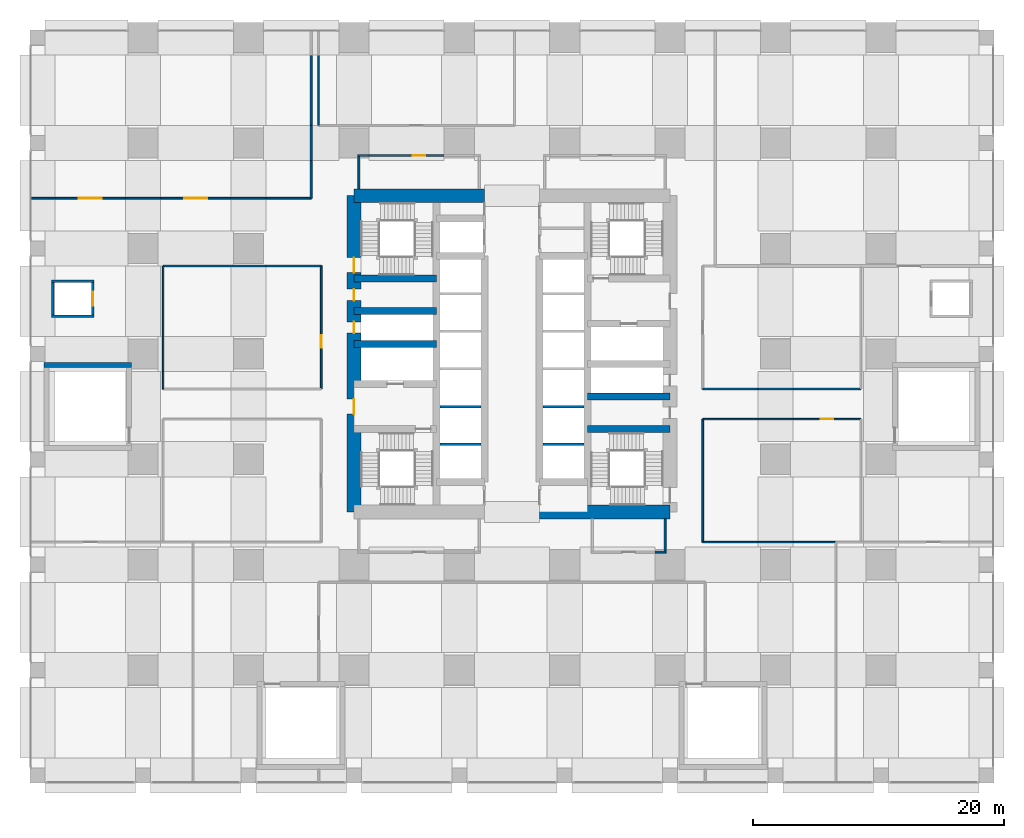
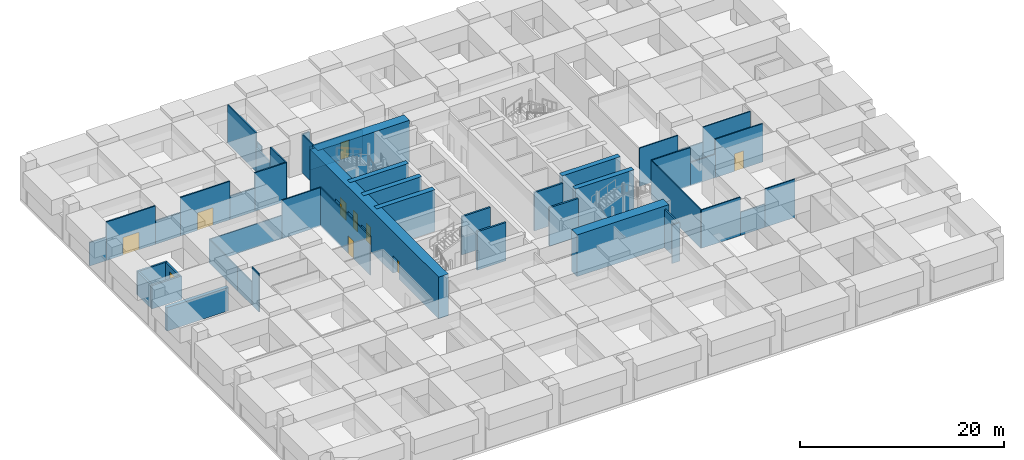
# One storey, part 40 of 52: 48 walls, 10 doors, 10 openings.
"""IFC4 building model written with IfcOpenShell, lengths in metres."""

from ifc_helpers import new_model, si_unit, direction, frame, frame_2d, origin, place, context, subcontext, project, spatial, rectangle, extrude, material, layer, layer_set, type_object, element, fill, save


model = new_model("IFC4")

# Units and contexts
model_context = context("Model", 3, precision=1e-05, world=origin(), true_north=direction((0.0, 1.0)))
body_context = subcontext(model_context, "Body", "Model", "MODEL_VIEW")
ifc_project = project(units=[si_unit("LENGTHUNIT", "METRE"), si_unit("AREAUNIT", "SQUARE_METRE"), si_unit("VOLUMEUNIT", "CUBIC_METRE"), si_unit("PLANEANGLEUNIT", "RADIAN"), si_unit("MASSUNIT", "GRAM", prefix="KILO")], contexts=[model_context])

# Site, building, storey
site_placement = place(None, origin())
site = spatial("IfcSite", under=ifc_project, at=site_placement, CompositionType="ELEMENT")
building_placement = place(site_placement, origin())
building = spatial("IfcBuilding", under=site, at=building_placement, Name="Rekha Terrace Tower", CompositionType="ELEMENT")
storey_placement = place(building_placement, frame((0.0, 0.0, 20.39990234375)))
storey = spatial("IfcBuildingStorey", under=building, at=storey_placement, Name="L04", CompositionType="ELEMENT", Elevation=20.39990234375)

# Walls
ifc_material_1 = material(Name="Concrete M70", Category="concrete")
ifc_layer_1 = layer(ifc_material_1, 0.550048828125)
ifc_layer_set_1 = layer_set([ifc_layer_1], Name="Concrete M70")
wall_type_1 = type_object("IfcWallType", Name="CI1 550 core internal shear wall", PredefinedType="SHEAR", material=ifc_layer_set_1)
for number, where, z_axis, x_axis, name in (
    (1, (25.199951171875, 34.39990234375, 0.0), (0.0, 0.0, 1.0), (1.0, 0.0, 0.0), "Core wall Y344W L04"),
    (2, (25.199951171875, 37.0, 0.0), (0.0, 0.0, 1.0), (1.0, 0.0, 0.0), "Core wall Y370W L04"),
    (3, (25.199951171875, 39.60009765625, 0.0), (0.0, 0.0, 1.0), (1.0, 0.0, 0.0), "Core wall Y396W L04"),
):
    element("IfcWall", number, at=place(storey_placement, frame(where, z_axis=z_axis, x_axis=x_axis)), inside=storey, type_object=wall_type_1, Name=name, PredefinedType="SHEAR", context=body_context, shape_type="SweptSolid", body=[
        extrude(rectangle(XDim=6.60009765625, YDim=0.550048828125, at=frame_2d((3.300048828125, 0.0))), origin(), (0.0, 0.0, 1.0), 5.0),
    ])
for number, where, z_axis, x_axis, name in (
    (4, (43.800048828125, 27.60009765625, 0.0), (0.0, 0.0, 1.0), (1.0, 0.0, 0.0), "Core wall Y276E L04"),
    (5, (43.800048828125, 30.199951171875, 0.0), (0.0, 0.0, 1.0), (1.0, 0.0, 0.0), "Core wall Y302E L04"),
):
    element("IfcWall", number, at=place(storey_placement, frame(where, z_axis=z_axis, x_axis=x_axis)), inside=storey, type_object=wall_type_1, Name=name, PredefinedType="SHEAR", context=body_context, shape_type="SweptSolid", body=[
        extrude(rectangle(XDim=6.599853515625, YDim=0.550048828125, at=frame_2d((3.2998046875, 0.0))), origin(), (0.0, 0.0, 1.0), 5.0),
    ])
ifc_layer_2 = layer(ifc_material_1, 1.10009765625)
ifc_layer_set_2 = layer_set([ifc_layer_2], Name="Concrete M70")
wall_type_2 = type_object("IfcWallType", Name="SW1 1100 core outer shear wall", PredefinedType="SHEAR", material=ifc_layer_set_2)
wall_1_placement = place(storey_placement, frame((40.0, 21.0, 0.0), z_axis=(0.0, 0.0, 1.0), x_axis=(1.0, 0.0, 0.0)))
element("IfcWall", 6, at=wall_1_placement, inside=storey, type_object=wall_type_2, Name="Core wall S2 L04", PredefinedType="SHEAR", context=body_context, shape_type="SweptSolid", body=[
    extrude(rectangle(XDim=10.39990234375, YDim=1.10009765625, at=frame_2d((5.199951171875, 0.0))), origin(), (0.0, 0.0, 1.0), 5.0),
])
wall_2_placement = place(storey_placement, frame((25.199951171875, 46.199951171875, 0.0), z_axis=(0.0, 0.0, 1.0), x_axis=(1.0, 0.0, 0.0)))
element("IfcWall", 7, at=wall_2_placement, inside=storey, type_object=wall_type_2, Name="Core wall N1 L04", PredefinedType="SHEAR", context=body_context, shape_type="SweptSolid", body=[
    extrude(rectangle(XDim=10.400146484375, YDim=1.10009765625, at=frame_2d((5.2001953125, 0.0))), origin(), (0.0, 0.0, 1.0), 5.0),
])

# Wall, openings, doors
wall_3_placement = place(storey_placement, frame((25.199951171875, 21.0, 0.0), z_axis=(0.0, 0.0, 1.0), x_axis=(0.0, 1.0, 0.0)))
wall_3 = element("IfcWall", 8, at=wall_3_placement, inside=storey, type_object=wall_type_2, Name="Core wall W L04", PredefinedType="SHEAR", context=body_context, shape_type="SweptSolid", body=[
    extrude(rectangle(XDim=25.199951171875, YDim=1.10009765625, at=frame_2d((12.60009765625, 0.0))), origin(), (0.0, 0.0, 1.0), 5.0),
])
opening_1_placement = place(wall_3_placement, frame((7.800048828125, 0.0, 0.0)))
opening_1 = element("IfcOpeningElement", 9, at=opening_1_placement, cuts=wall_3, Name="Opening D2", PredefinedType="OPENING", context=body_context, shape_type="SweptSolid", body=[
    extrude(rectangle(XDim=1.199951171875, YDim=2.10009765625, at=frame_2d((0.60009765625, 1.050048828125))), frame((0.0, 0.56005859375, 0.0), z_axis=(0.0, -1.0, 0.0), x_axis=(1.0, 0.0, 0.0)), (0.0, 0.0, 1.0), 1.1201171875),
])
opening_2_placement = place(wall_3_placement, frame((14.25, 0.0, 0.0)))
opening_2 = element("IfcOpeningElement", 10, at=opening_2_placement, cuts=wall_3, Name="Opening D5", PredefinedType="OPENING", context=body_context, shape_type="SweptSolid", body=[
    extrude(rectangle(XDim=0.89990234375, YDim=2.10009765625, at=frame_2d((0.449951171875, 1.050048828125))), frame((0.0, 0.56005859375, 0.0), z_axis=(0.0, -1.0, 0.0), x_axis=(1.0, 0.0, 0.0)), (0.0, 0.0, 1.0), 1.1201171875),
])
opening_3_placement = place(wall_3_placement, frame((16.85009765625, 0.0, 0.0)))
opening_3 = element("IfcOpeningElement", 11, at=opening_3_placement, cuts=wall_3, Name="Opening D5", PredefinedType="OPENING", context=body_context, shape_type="SweptSolid", body=[
    extrude(rectangle(XDim=0.89990234375, YDim=2.10009765625, at=frame_2d((0.449951171875, 1.050048828125))), frame((0.0, 0.56005859375, 0.0), z_axis=(0.0, -1.0, 0.0), x_axis=(1.0, 0.0, 0.0)), (0.0, 0.0, 1.0), 1.1201171875),
])
opening_4_placement = place(wall_3_placement, frame((19.074951171875, 0.0, 0.0)))
opening_4 = element("IfcOpeningElement", 12, at=opening_4_placement, cuts=wall_3, Name="Opening D1", PredefinedType="OPENING", context=body_context, shape_type="SweptSolid", body=[
    extrude(rectangle(XDim=1.199951171875, YDim=2.10009765625, at=frame_2d((0.60009765625, 1.050048828125))), frame((0.0, 0.56005859375, 0.0), z_axis=(0.0, -1.0, 0.0), x_axis=(1.0, 0.0, 0.0)), (0.0, 0.0, 1.0), 1.1201171875),
])
ifc_material_2 = material(Name="Steel fire door", Category="steel")
door_type_1 = type_object("IfcDoorType", Name="D1 1200x2100 stair fire door", OperationType="SINGLE_SWING_RIGHT", PredefinedType="DOOR", material=ifc_material_2)
door_1_placement = place(opening_4_placement, origin())
door_1 = element("IfcDoor", 13, at=door_1_placement, inside=storey, type_object=door_type_1, Name="Stair ST4 door L04", OperationType="SINGLE_SWING_RIGHT", OverallHeight=2.10009765625, OverallWidth=1.199951171875, PredefinedType="DOOR", context=body_context, shape_type="SweptSolid", body=[
    extrude(rectangle(XDim=1.199951171875, YDim=2.10009765625, at=frame_2d((0.60009765625, 1.050048828125))), frame((0.0, 0.02490234375, 0.0), z_axis=(0.0, -1.0, 0.0), x_axis=(1.0, 0.0, 0.0)), (0.0, 0.0, 1.0), 0.050048828125),
])
fill(opening_4, door_1)
door_type_2 = type_object("IfcDoorType", Name="D2 1200x2100 firefighting lobby door", OperationType="SINGLE_SWING_LEFT", PredefinedType="DOOR", material=ifc_material_2)
door_2_placement = place(opening_1_placement, origin())
door_2 = element("IfcDoor", 14, at=door_2_placement, inside=storey, type_object=door_type_2, Name="Door flb1 L04", OperationType="SINGLE_SWING_LEFT", OverallHeight=2.10009765625, OverallWidth=1.199951171875, PredefinedType="DOOR", context=body_context, shape_type="SweptSolid", body=[
    extrude(rectangle(XDim=1.199951171875, YDim=2.10009765625, at=frame_2d((0.60009765625, 1.050048828125))), frame((0.0, 0.02490234375, 0.0), z_axis=(0.0, -1.0, 0.0), x_axis=(1.0, 0.0, 0.0)), (0.0, 0.0, 1.0), 0.050048828125),
])
fill(opening_1, door_2)
door_type_3 = type_object("IfcDoorType", Name="D5 900x2100 riser access door", OperationType="SINGLE_SWING_LEFT", PredefinedType="DOOR", material=ifc_material_2)
door_3_placement = place(opening_2_placement, origin())
door_3 = element("IfcDoor", 15, at=door_3_placement, inside=storey, type_object=door_type_3, Name="Door rs1 L04", OperationType="SINGLE_SWING_LEFT", OverallHeight=2.10009765625, OverallWidth=0.89990234375, PredefinedType="DOOR", context=body_context, shape_type="SweptSolid", body=[
    extrude(rectangle(XDim=0.89990234375, YDim=2.10009765625, at=frame_2d((0.449951171875, 1.050048828125))), frame((0.0, 0.02490234375, 0.0), z_axis=(0.0, -1.0, 0.0), x_axis=(1.0, 0.0, 0.0)), (0.0, 0.0, 1.0), 0.050048828125),
])
fill(opening_2, door_3)
door_4_placement = place(opening_3_placement, origin())
door_4 = element("IfcDoor", 16, at=door_4_placement, inside=storey, type_object=door_type_3, Name="Door elw L04", OperationType="SINGLE_SWING_LEFT", OverallHeight=2.10009765625, OverallWidth=0.89990234375, PredefinedType="DOOR", context=body_context, shape_type="SweptSolid", body=[
    extrude(rectangle(XDim=0.89990234375, YDim=2.10009765625, at=frame_2d((0.449951171875, 1.050048828125))), frame((0.0, 0.02490234375, 0.0), z_axis=(0.0, -1.0, 0.0), x_axis=(1.0, 0.0, 0.0)), (0.0, 0.0, 1.0), 0.050048828125),
])
fill(opening_3, door_4)

# Wall
ifc_material_3 = material(Name="Concrete block masonry, 1 hour", Category="masonry")
ifc_layer_3 = layer(ifc_material_3, 0.14990234375)
ifc_layer_set_3 = layer_set([ifc_layer_3], Name="Concrete block masonry, 1 hour")
wall_type_3 = type_object("IfcWallType", Name="WP2 150 tenancy partition", PredefinedType="PARTITIONING", material=ifc_layer_set_3)
wall_4_placement = place(storey_placement, frame((25.52490234375, 49.39990234375, 0.0), z_axis=(0.0, 0.0, 1.0), x_axis=(1.0, 0.0, 0.0)))
element("IfcWall", 17, at=wall_4_placement, inside=storey, type_object=wall_type_3, Name="Women's WC wall L04", PredefinedType="PARTITIONING", context=body_context, shape_type="SweptSolid", body=[
    extrude(rectangle(XDim=0.875, YDim=0.14990234375, at=frame_2d((0.4375, 0.0))), origin(), (0.0, 0.0, 1.0), 4.60009765625),
])

# Wall, opening, door
wall_5_placement = place(storey_placement, frame((26.39990234375, 49.39990234375, 0.0), z_axis=(0.0, 0.0, 1.0), x_axis=(1.0, 0.0, 0.0)))
wall_5 = element("IfcWall", 18, at=wall_5_placement, inside=storey, type_object=wall_type_3, Name="Women's WC wall L04", PredefinedType="PARTITIONING", context=body_context, shape_type="SweptSolid", body=[
    extrude(rectangle(XDim=6.0, YDim=0.14990234375, at=frame_2d((3.0, 0.0))), origin(), (0.0, 0.0, 1.0), 2.800048828125),
])
opening_5_placement = place(wall_5_placement, frame((3.5, 0.0, 0.0)))
opening_5 = element("IfcOpeningElement", 19, at=opening_5_placement, cuts=wall_5, Name="Opening D3", PredefinedType="OPENING", context=body_context, shape_type="SweptSolid", body=[
    extrude(rectangle(XDim=1.0, YDim=2.10009765625, at=frame_2d((0.5, 1.050048828125))), frame((0.0, 0.0849609375, 0.0), z_axis=(0.0, -1.0, 0.0), x_axis=(1.0, 0.0, 0.0)), (0.0, 0.0, 1.0), 0.169921875),
])
ifc_material_4 = material(Name="Laminated timber fire door", Category="wood")
door_type_4 = type_object("IfcDoorType", Name="D3 1000x2100 WC door", OperationType="SINGLE_SWING_LEFT", PredefinedType="DOOR", material=ifc_material_4)
door_5_placement = place(opening_5_placement, origin())
door_5 = element("IfcDoor", 20, at=door_5_placement, inside=storey, type_object=door_type_4, Name="Door women's wc L04", OperationType="SINGLE_SWING_LEFT", OverallHeight=2.10009765625, OverallWidth=1.0, PredefinedType="DOOR", context=body_context, shape_type="SweptSolid", body=[
    extrude(rectangle(XDim=1.0, YDim=2.10009765625, at=frame_2d((0.5, 1.050048828125))), frame((0.0, 0.02490234375, 0.0), z_axis=(0.0, -1.0, 0.0), x_axis=(1.0, 0.0, 0.0)), (0.0, 0.0, 1.0), 0.050048828125),
])
fill(opening_5, door_5)

# Walls
wall_6_placement = place(storey_placement, frame((25.60009765625, 46.75, 0.0), z_axis=(0.0, 0.0, 1.0), x_axis=(0.0, 1.0, 0.0)))
element("IfcWall", 21, at=wall_6_placement, inside=storey, type_object=wall_type_3, Name="Women's WC wall L04", PredefinedType="PARTITIONING", context=body_context, shape_type="SweptSolid", body=[
    extrude(rectangle(XDim=2.574951171875, YDim=0.14990234375, at=frame_2d((1.28759765625, 0.0))), origin(), (0.0, 0.0, 1.0), 4.60009765625),
])
wall_7_placement = place(storey_placement, frame((49.199951171875, 17.800048828125, 0.0), z_axis=(0.0, 0.0, 1.0), x_axis=(1.0, 0.0, 0.0)))
element("IfcWall", 22, at=wall_7_placement, inside=storey, type_object=wall_type_3, Name="Men's WC wall L04", PredefinedType="PARTITIONING", context=body_context, shape_type="SweptSolid", body=[
    extrude(rectangle(XDim=0.875, YDim=0.14990234375, at=frame_2d((0.4375, 0.0))), origin(), (0.0, 0.0, 1.0), 4.60009765625),
])
wall_8_placement = place(storey_placement, frame((50.0, 17.875, 0.0), z_axis=(0.0, 0.0, 1.0), x_axis=(0.0, 1.0, 0.0)))
element("IfcWall", 23, at=wall_8_placement, inside=storey, type_object=wall_type_3, Name="Men's WC wall L04", PredefinedType="PARTITIONING", context=body_context, shape_type="SweptSolid", body=[
    extrude(rectangle(XDim=2.574951171875, YDim=0.14990234375, at=frame_2d((1.28759765625, 0.0))), origin(), (0.0, 0.0, 1.0), 4.60009765625),
])
wall_9_placement = place(storey_placement, frame((21.800048828125, 57.389892578125, 0.0), z_axis=(0.0, 0.0, 1.0), x_axis=(0.0, -1.0, 0.0)))
element("IfcWall", 24, at=wall_9_placement, inside=storey, type_object=wall_type_3, Name="Partition L04-03", PredefinedType="PARTITIONING", context=body_context, shape_type="SweptSolid", body=[
    extrude(rectangle(XDim=5.579833984375, YDim=0.14990234375, at=frame_2d((2.7900390625, 0.0))), origin(), (0.0, 0.0, 1.0), 4.60009765625),
])
wall_10_placement = place(storey_placement, frame((21.800048828125, 51.81005859375, 0.0), z_axis=(0.0, 0.0, 1.0), x_axis=(0.0, -1.0, 0.0)))
element("IfcWall", 25, at=wall_10_placement, inside=storey, type_object=wall_type_3, Name="Partition L04-03", PredefinedType="PARTITIONING", context=body_context, shape_type="SweptSolid", body=[
    extrude(rectangle(XDim=2.820068359375, YDim=0.14990234375, at=frame_2d((1.41015625, 0.0))), origin(), (0.0, 0.0, 1.0), 2.800048828125),
])
wall_11_placement = place(storey_placement, frame((21.800048828125, 48.989990234375, 0.0), z_axis=(0.0, 0.0, 1.0), x_axis=(0.0, -1.0, 0.0)))
element("IfcWall", 26, at=wall_11_placement, inside=storey, type_object=wall_type_3, Name="Partition L04-03", PredefinedType="PARTITIONING", context=body_context, shape_type="SweptSolid", body=[
    extrude(rectangle(XDim=2.989990234375, YDim=0.14990234375, at=frame_2d((1.4951171875, 0.0))), origin(), (0.0, 0.0, 1.0), 4.60009765625),
])
wall_12_placement = place(storey_placement, frame((21.800048828125, 46.0, 0.0), z_axis=(0.0, 0.0, 1.0), x_axis=(-1.0, 0.0, 0.0)))
element("IfcWall", 27, at=wall_12_placement, inside=storey, type_object=wall_type_3, Name="Partition L04-03", PredefinedType="PARTITIONING", context=body_context, shape_type="SweptSolid", body=[
    extrude(rectangle(XDim=3.590087890625, YDim=0.14990234375, at=frame_2d((1.794921875, 0.0))), origin(), (0.0, 0.0, 1.0), 4.60009765625),
])
wall_13_placement = place(storey_placement, frame((18.2099609375, 46.0, 0.0), z_axis=(0.0, 0.0, 1.0), x_axis=(-1.0, 0.0, 0.0)))
element("IfcWall", 28, at=wall_13_placement, inside=storey, type_object=wall_type_3, Name="Partition L04-03", PredefinedType="PARTITIONING", context=body_context, shape_type="SweptSolid", body=[
    extrude(rectangle(XDim=2.820068359375, YDim=0.14990234375, at=frame_2d((1.41015625, 0.0))), origin(), (0.0, 0.0, 1.0), 2.800048828125),
])

# Wall, opening, door
wall_14_placement = place(storey_placement, frame((15.389892578125, 46.0, 0.0), z_axis=(0.0, 0.0, 1.0), x_axis=(-1.0, 0.0, 0.0)))
wall_14 = element("IfcWall", 29, at=wall_14_placement, inside=storey, type_object=wall_type_3, Name="Partition L04-03", PredefinedType="PARTITIONING", context=body_context, shape_type="SweptSolid", body=[
    extrude(rectangle(XDim=5.579833984375, YDim=0.14990234375, at=frame_2d((2.7900390625, 0.0))), origin(), (0.0, 0.0, 1.0), 4.60009765625),
])
opening_6_placement = place(wall_14_placement, frame((1.889892578125, 0.0, 0.0)))
opening_6 = element("IfcOpeningElement", 30, at=opening_6_placement, cuts=wall_14, Name="Opening D8", PredefinedType="OPENING", context=body_context, shape_type="SweptSolid", body=[
    extrude(rectangle(XDim=1.800048828125, YDim=2.10009765625, at=frame_2d((0.89990234375, 1.050048828125))), frame((0.0, 0.0849609375, 0.0), z_axis=(0.0, -1.0, 0.0), x_axis=(1.0, 0.0, 0.0)), (0.0, 0.0, 1.0), 0.169921875),
])
ifc_material_5 = material(Name="Timber fire door", Category="wood")
door_type_5 = type_object("IfcDoorType", Name="D8 1800x2100 double leaf door", OperationType="DOUBLE_DOOR_SINGLE_SWING", PredefinedType="DOOR", material=ifc_material_5)
door_6_placement = place(opening_6_placement, origin())
door_6 = element("IfcDoor", 31, at=door_6_placement, inside=storey, type_object=door_type_5, Name="Door conference room 2 L04", OperationType="DOUBLE_DOOR_SINGLE_SWING", OverallHeight=2.10009765625, OverallWidth=1.800048828125, PredefinedType="DOOR", context=body_context, shape_type="SweptSolid", body=[
    extrude(rectangle(XDim=1.800048828125, YDim=2.10009765625, at=frame_2d((0.89990234375, 1.050048828125))), frame((0.0, 0.02490234375, 0.0), z_axis=(0.0, -1.0, 0.0), x_axis=(1.0, 0.0, 0.0)), (0.0, 0.0, 1.0), 0.050048828125),
])
fill(opening_6, door_6)

# Wall
wall_15_placement = place(storey_placement, frame((9.81005859375, 46.0, 0.0), z_axis=(0.0, 0.0, 1.0), x_axis=(-1.0, 0.0, 0.0)))
element("IfcWall", 32, at=wall_15_placement, inside=storey, type_object=wall_type_3, Name="Partition L04-03", PredefinedType="PARTITIONING", context=body_context, shape_type="SweptSolid", body=[
    extrude(rectangle(XDim=2.820068359375, YDim=0.14990234375, at=frame_2d((1.41015625, 0.0))), origin(), (0.0, 0.0, 1.0), 2.800048828125),
])

# Wall, opening, door
wall_16_placement = place(storey_placement, frame((6.989990234375, 46.0, 0.0), z_axis=(0.0, 0.0, 1.0), x_axis=(-1.0, 0.0, 0.0)))
wall_16 = element("IfcWall", 33, at=wall_16_placement, inside=storey, type_object=wall_type_3, Name="Partition L04-03", PredefinedType="PARTITIONING", context=body_context, shape_type="SweptSolid", body=[
    extrude(rectangle(XDim=5.580078125, YDim=0.14990234375, at=frame_2d((2.7900390625, 0.0))), origin(), (0.0, 0.0, 1.0), 4.60009765625),
])
opening_7_placement = place(wall_16_placement, frame((1.889892578125, 0.0, 0.0)))
opening_7 = element("IfcOpeningElement", 34, at=opening_7_placement, cuts=wall_16, Name="Opening D8", PredefinedType="OPENING", context=body_context, shape_type="SweptSolid", body=[
    extrude(rectangle(XDim=1.800048828125, YDim=2.10009765625, at=frame_2d((0.89990234375, 1.050048828125))), frame((0.0, 0.0849609375, 0.0), z_axis=(0.0, -1.0, 0.0), x_axis=(1.0, 0.0, 0.0)), (0.0, 0.0, 1.0), 0.169921875),
])
door_7_placement = place(opening_7_placement, origin())
door_7 = element("IfcDoor", 35, at=door_7_placement, inside=storey, type_object=door_type_5, Name="Door conference room 2 L04", OperationType="DOUBLE_DOOR_SINGLE_SWING", OverallHeight=2.10009765625, OverallWidth=1.800048828125, PredefinedType="DOOR", context=body_context, shape_type="SweptSolid", body=[
    extrude(rectangle(XDim=1.800048828125, YDim=2.10009765625, at=frame_2d((0.89990234375, 1.050048828125))), frame((0.0, 0.02490234375, 0.0), z_axis=(0.0, -1.0, 0.0), x_axis=(1.0, 0.0, 0.0)), (0.0, 0.0, 1.0), 0.050048828125),
])
fill(opening_7, door_7)

# Walls
wall_17_placement = place(storey_placement, frame((1.409912109375, 46.0, 0.0), z_axis=(0.0, 0.0, 1.0), x_axis=(-1.0, 0.0, 0.0)))
element("IfcWall", 36, at=wall_17_placement, inside=storey, type_object=wall_type_3, Name="Partition L04-03", PredefinedType="PARTITIONING", context=body_context, shape_type="SweptSolid", body=[
    extrude(rectangle(XDim=1.89990234375, YDim=0.14990234375, at=frame_2d((0.949951171875, 0.0))), origin(), (0.0, 0.0, 1.0), 2.800048828125),
])
ifc_material_6 = material(Name="Two layers of fire-rated gypsum board each side on steel studs, acoustic quilt, 1 hour", Category="steel")
ifc_layer_4 = layer(ifc_material_6, 0.125)
ifc_layer_set_4 = layer_set([ifc_layer_4], Name="Two layers of fire-rated gypsum board each side on steel studs, acoustic quilt, 1 hour")
wall_type_4 = type_object("IfcWallType", Name="WP3 125 office partition", PredefinedType="PARTITIONING", material=ifc_layer_set_4)
wall_18_placement = place(storey_placement, frame((10.0, 40.60009765625, 0.0), z_axis=(0.0, 0.0, 1.0), x_axis=(1.0, 0.0, 0.0)))
element("IfcWall", 37, at=wall_18_placement, inside=storey, type_object=wall_type_4, Name="Partition L04-08", PredefinedType="PARTITIONING", context=body_context, shape_type="SweptSolid", body=[
    extrude(rectangle(XDim=8.2099609375, YDim=0.125, at=frame_2d((4.10498046875, 0.0))), origin(), (0.0, 0.0, 1.0), 2.800048828125),
])
wall_19_placement = place(storey_placement, frame((18.2099609375, 40.60009765625, 0.0), z_axis=(0.0, 0.0, 1.0), x_axis=(1.0, 0.0, 0.0)))
element("IfcWall", 38, at=wall_19_placement, inside=storey, type_object=wall_type_4, Name="Partition L04-08", PredefinedType="PARTITIONING", context=body_context, shape_type="SweptSolid", body=[
    extrude(rectangle(XDim=4.39013671875, YDim=0.125, at=frame_2d((2.195068359375, 0.0))), origin(), (0.0, 0.0, 1.0), 4.60009765625),
])

# Wall, opening, door
wall_20_placement = place(storey_placement, frame((22.60009765625, 40.60009765625, 0.0), z_axis=(0.0, 0.0, 1.0), x_axis=(0.0, -1.0, 0.0)))
wall_20 = element("IfcWall", 39, at=wall_20_placement, inside=storey, type_object=wall_type_4, Name="Partition L04-08", PredefinedType="PARTITIONING", context=body_context, shape_type="SweptSolid", body=[
    extrude(rectangle(XDim=9.800048828125, YDim=0.125, at=frame_2d((4.89990234375, 0.0))), origin(), (0.0, 0.0, 1.0), 4.60009765625),
])
opening_8_placement = place(wall_20_placement, frame((5.5, 0.0, 0.0)))
opening_8 = element("IfcOpeningElement", 40, at=opening_8_placement, cuts=wall_20, Name="Opening D9", PredefinedType="OPENING", context=body_context, shape_type="SweptSolid", body=[
    extrude(rectangle(XDim=1.0, YDim=2.10009765625, at=frame_2d((0.5, 1.050048828125))), frame((0.0, 0.072509765625, 0.0), z_axis=(0.0, -1.0, 0.0), x_axis=(1.0, 0.0, 0.0)), (0.0, 0.0, 1.0), 0.14501953125),
])
door_type_6 = type_object("IfcDoorType", Name="D9 1000x2100 office door", OperationType="SINGLE_SWING_LEFT", PredefinedType="DOOR", material=ifc_material_5)
door_8_placement = place(opening_8_placement, origin())
door_8 = element("IfcDoor", 41, at=door_8_placement, inside=storey, type_object=door_type_6, Name="Door business centre office L04", OperationType="SINGLE_SWING_LEFT", OverallHeight=2.10009765625, OverallWidth=1.0, PredefinedType="DOOR", context=body_context, shape_type="SweptSolid", body=[
    extrude(rectangle(XDim=1.0, YDim=2.10009765625, at=frame_2d((0.5, 1.050048828125))), frame((0.0, 0.02490234375, 0.0), z_axis=(0.0, -1.0, 0.0), x_axis=(1.0, 0.0, 0.0)), (0.0, 0.0, 1.0), 0.050048828125),
])
fill(opening_8, door_8)

# Walls
wall_21_placement = place(storey_placement, frame((10.0, 30.800048828125, 0.0), z_axis=(0.0, 0.0, 1.0), x_axis=(0.0, 1.0, 0.0)))
element("IfcWall", 42, at=wall_21_placement, inside=storey, type_object=wall_type_4, Name="Partition L04-08", PredefinedType="PARTITIONING", context=body_context, shape_type="SweptSolid", body=[
    extrude(rectangle(XDim=1.389892578125, YDim=0.125, at=frame_2d((0.69482421875, 0.0))), origin(), (0.0, 0.0, 1.0), 4.60009765625),
])
wall_22_placement = place(storey_placement, frame((10.0, 32.18994140625, 0.0), z_axis=(0.0, 0.0, 1.0), x_axis=(0.0, 1.0, 0.0)))
element("IfcWall", 43, at=wall_22_placement, inside=storey, type_object=wall_type_4, Name="Partition L04-08", PredefinedType="PARTITIONING", context=body_context, shape_type="SweptSolid", body=[
    extrude(rectangle(XDim=2.820068359375, YDim=0.125, at=frame_2d((1.41015625, 0.0))), origin(), (0.0, 0.0, 1.0), 2.800048828125),
])
wall_23_placement = place(storey_placement, frame((10.0, 35.010009765625, 0.0), z_axis=(0.0, 0.0, 1.0), x_axis=(0.0, 1.0, 0.0)))
element("IfcWall", 44, at=wall_23_placement, inside=storey, type_object=wall_type_4, Name="Partition L04-08", PredefinedType="PARTITIONING", context=body_context, shape_type="SweptSolid", body=[
    extrude(rectangle(XDim=5.590087890625, YDim=0.125, at=frame_2d((2.794921875, 0.0))), origin(), (0.0, 0.0, 1.0), 2.800048828125),
])
wall_24_placement = place(storey_placement, frame((53.0, 18.60009765625, 0.0), z_axis=(0.0, 0.0, 1.0), x_axis=(0.0, 1.0, 0.0)))
element("IfcWall", 45, at=wall_24_placement, inside=storey, type_object=wall_type_4, Name="Partition L04-09", PredefinedType="PARTITIONING", context=body_context, shape_type="SweptSolid", body=[
    extrude(rectangle(XDim=9.7998046875, YDim=0.125, at=frame_2d((4.89990234375, 0.0))), origin(), (0.0, 0.0, 1.0), 4.60009765625),
])
wall_25_placement = place(storey_placement, frame((53.0, 28.39990234375, 0.0), z_axis=(0.0, 0.0, 1.0), x_axis=(1.0, 0.0, 0.0)))
element("IfcWall", 46, at=wall_25_placement, inside=storey, type_object=wall_type_4, Name="Partition L04-09", PredefinedType="PARTITIONING", context=body_context, shape_type="SweptSolid", body=[
    extrude(rectangle(XDim=4.389892578125, YDim=0.125, at=frame_2d((2.19482421875, 0.0))), origin(), (0.0, 0.0, 1.0), 4.60009765625),
])
wall_26_placement = place(storey_placement, frame((57.389892578125, 28.39990234375, 0.0), z_axis=(0.0, 0.0, 1.0), x_axis=(1.0, 0.0, 0.0)))
element("IfcWall", 47, at=wall_26_placement, inside=storey, type_object=wall_type_4, Name="Partition L04-09", PredefinedType="PARTITIONING", context=body_context, shape_type="SweptSolid", body=[
    extrude(rectangle(XDim=2.820068359375, YDim=0.125, at=frame_2d((1.41015625, 0.0))), origin(), (0.0, 0.0, 1.0), 2.800048828125),
])

# Wall, opening, door
wall_27_placement = place(storey_placement, frame((60.2099609375, 28.39990234375, 0.0), z_axis=(0.0, 0.0, 1.0), x_axis=(1.0, 0.0, 0.0)))
wall_27 = element("IfcWall", 48, at=wall_27_placement, inside=storey, type_object=wall_type_4, Name="Partition L04-09", PredefinedType="PARTITIONING", context=body_context, shape_type="SweptSolid", body=[
    extrude(rectangle(XDim=5.39013671875, YDim=0.125, at=frame_2d((2.695068359375, 0.0))), origin(), (0.0, 0.0, 1.0), 4.60009765625),
])
opening_9_placement = place(wall_27_placement, frame((2.195068359375, 0.0, 0.0)))
opening_9 = element("IfcOpeningElement", 49, at=opening_9_placement, cuts=wall_27, Name="Opening D9", PredefinedType="OPENING", context=body_context, shape_type="SweptSolid", body=[
    extrude(rectangle(XDim=1.0, YDim=2.10009765625, at=frame_2d((0.5, 1.050048828125))), frame((0.0, 0.072509765625, 0.0), z_axis=(0.0, -1.0, 0.0), x_axis=(1.0, 0.0, 0.0)), (0.0, 0.0, 1.0), 0.14501953125),
])
door_9_placement = place(opening_9_placement, origin())
door_9 = element("IfcDoor", 50, at=door_9_placement, inside=storey, type_object=door_type_6, Name="Door business centre office L04", OperationType="SINGLE_SWING_LEFT", OverallHeight=2.10009765625, OverallWidth=1.0, PredefinedType="DOOR", context=body_context, shape_type="SweptSolid", body=[
    extrude(rectangle(XDim=1.0, YDim=2.10009765625, at=frame_2d((0.5, 1.050048828125))), frame((0.0, 0.02490234375, 0.0), z_axis=(0.0, -1.0, 0.0), x_axis=(1.0, 0.0, 0.0)), (0.0, 0.0, 1.0), 0.050048828125),
])
fill(opening_9, door_9)

# Walls
wall_28_placement = place(storey_placement, frame((63.60009765625, 18.60009765625, 0.0), z_axis=(0.0, 0.0, 1.0), x_axis=(-1.0, 0.0, 0.0)))
element("IfcWall", 51, at=wall_28_placement, inside=storey, type_object=wall_type_4, Name="Partition L04-09", PredefinedType="PARTITIONING", context=body_context, shape_type="SweptSolid", body=[
    extrude(rectangle(XDim=3.39013671875, YDim=0.125, at=frame_2d((1.695068359375, 0.0))), origin(), (0.0, 0.0, 1.0), 4.60009765625),
])
wall_29_placement = place(storey_placement, frame((60.2099609375, 18.60009765625, 0.0), z_axis=(0.0, 0.0, 1.0), x_axis=(-1.0, 0.0, 0.0)))
element("IfcWall", 52, at=wall_29_placement, inside=storey, type_object=wall_type_4, Name="Partition L04-09", PredefinedType="PARTITIONING", context=body_context, shape_type="SweptSolid", body=[
    extrude(rectangle(XDim=2.820068359375, YDim=0.125, at=frame_2d((1.41015625, 0.0))), origin(), (0.0, 0.0, 1.0), 2.800048828125),
])
wall_30_placement = place(storey_placement, frame((57.389892578125, 18.60009765625, 0.0), z_axis=(0.0, 0.0, 1.0), x_axis=(-1.0, 0.0, 0.0)))
element("IfcWall", 53, at=wall_30_placement, inside=storey, type_object=wall_type_4, Name="Partition L04-09", PredefinedType="PARTITIONING", context=body_context, shape_type="SweptSolid", body=[
    extrude(rectangle(XDim=4.389892578125, YDim=0.125, at=frame_2d((2.19482421875, 0.0))), origin(), (0.0, 0.0, 1.0), 4.60009765625),
])
wall_31_placement = place(storey_placement, frame((65.60009765625, 30.800048828125, 0.0), z_axis=(0.0, 0.0, 1.0), x_axis=(-1.0, 0.0, 0.0)))
element("IfcWall", 54, at=wall_31_placement, inside=storey, type_object=wall_type_4, Name="Partition L04-10", PredefinedType="PARTITIONING", context=body_context, shape_type="SweptSolid", body=[
    extrude(rectangle(XDim=5.39013671875, YDim=0.125, at=frame_2d((2.695068359375, 0.0))), origin(), (0.0, 0.0, 1.0), 4.60009765625),
])
wall_32_placement = place(storey_placement, frame((60.2099609375, 30.800048828125, 0.0), z_axis=(0.0, 0.0, 1.0), x_axis=(-1.0, 0.0, 0.0)))
element("IfcWall", 55, at=wall_32_placement, inside=storey, type_object=wall_type_4, Name="Partition L04-10", PredefinedType="PARTITIONING", context=body_context, shape_type="SweptSolid", body=[
    extrude(rectangle(XDim=2.820068359375, YDim=0.125, at=frame_2d((1.41015625, 0.0))), origin(), (0.0, 0.0, 1.0), 2.800048828125),
])
wall_33_placement = place(storey_placement, frame((57.389892578125, 30.800048828125, 0.0), z_axis=(0.0, 0.0, 1.0), x_axis=(-1.0, 0.0, 0.0)))
element("IfcWall", 56, at=wall_33_placement, inside=storey, type_object=wall_type_4, Name="Partition L04-10", PredefinedType="PARTITIONING", context=body_context, shape_type="SweptSolid", body=[
    extrude(rectangle(XDim=4.389892578125, YDim=0.125, at=frame_2d((2.19482421875, 0.0))), origin(), (0.0, 0.0, 1.0), 4.60009765625),
])
wall_34_placement = place(storey_placement, frame((22.39990234375, 51.800048828125, 0.0), z_axis=(0.0, 0.0, 1.0), x_axis=(0.0, 1.0, 0.0)))
element("IfcWall", 57, at=wall_34_placement, inside=storey, type_object=wall_type_4, Name="Partition L04-11", PredefinedType="PARTITIONING", context=body_context, shape_type="SweptSolid", body=[
    extrude(rectangle(XDim=5.58984375, YDim=0.125, at=frame_2d((2.794921875, 0.0))), origin(), (0.0, 0.0, 1.0), 2.800048828125),
])
ifc_material_7 = material(Name="Solid concrete block masonry, 2 hour", Category="masonry")
ifc_layer_5 = layer(ifc_material_7, 0.199951171875)
ifc_layer_set_5 = layer_set([ifc_layer_5], Name="Solid concrete block masonry, 2 hour")
wall_type_5 = type_object("IfcWallType", Name="WS1 200 stair and shaft enclosure", PredefinedType="PARTITIONING", material=ifc_layer_set_5)
for number, where, z_axis, x_axis, name in (
    (58, (1.10009765625, 36.60009765625, 0.0), (0.0, 0.0, 1.0), (1.0, 0.0, 0.0), "Lift PL1 shaft south wall"),
    (59, (1.10009765625, 39.39990234375, 0.0), (0.0, 0.0, 1.0), (1.0, 0.0, 0.0), "Lift PL1 shaft north wall"),
):
    element("IfcWall", number, at=place(storey_placement, frame(where, z_axis=z_axis, x_axis=x_axis)), inside=storey, type_object=wall_type_5, Name=name, PredefinedType="PARTITIONING", context=body_context, shape_type="SweptSolid", body=[
        extrude(rectangle(XDim=3.39990234375, YDim=0.199951171875, at=frame_2d((1.699951171875, 0.0))), origin(), (0.0, 0.0, 1.0), 2.800048828125),
    ])
wall_35_placement = place(storey_placement, frame((1.199951171875, 36.699951171875, 0.0), z_axis=(0.0, 0.0, 1.0), x_axis=(0.0, 1.0, 0.0)))
element("IfcWall", 60, at=wall_35_placement, inside=storey, type_object=wall_type_5, Name="Lift PL1 shaft west wall", PredefinedType="PARTITIONING", context=body_context, shape_type="SweptSolid", body=[
    extrude(rectangle(XDim=2.60009765625, YDim=0.199951171875, at=frame_2d((1.300048828125, 0.0))), origin(), (0.0, 0.0, 1.0), 2.800048828125),
])

# Wall, opening, door
wall_36_placement = place(storey_placement, frame((4.39990234375, 36.699951171875, 0.0), z_axis=(0.0, 0.0, 1.0), x_axis=(0.0, 1.0, 0.0)))
wall_36 = element("IfcWall", 61, at=wall_36_placement, inside=storey, type_object=wall_type_5, Name="Lift PL1 shaft east wall", PredefinedType="PARTITIONING", context=body_context, shape_type="SweptSolid", body=[
    extrude(rectangle(XDim=2.60009765625, YDim=0.199951171875, at=frame_2d((1.300048828125, 0.0))), origin(), (0.0, 0.0, 1.0), 2.800048828125),
])
opening_10_placement = place(wall_36_placement, frame((0.75, 0.0, 0.0)))
opening_10 = element("IfcOpeningElement", 62, at=opening_10_placement, cuts=wall_36, Name="Opening LD1", PredefinedType="OPENING", context=body_context, shape_type="SweptSolid", body=[
    extrude(rectangle(XDim=1.10009765625, YDim=2.10009765625, at=frame_2d((0.550048828125, 1.050048828125))), frame((0.0, 0.10986328125, 0.0), z_axis=(0.0, -1.0, 0.0), x_axis=(1.0, 0.0, 0.0)), (0.0, 0.0, 1.0), 0.219970703125),
])
ifc_material_8 = material(Name="Stainless steel sliding landing door", Category="steel")
door_type_7 = type_object("IfcDoorType", Name="LD1 1100x2100 lift landing door", OperationType="SLIDING_TO_LEFT", PredefinedType="USERDEFINED", material=ifc_material_8)
door_10_placement = place(opening_10_placement, origin())
door_10 = element("IfcDoor", 63, at=door_10_placement, inside=storey, type_object=door_type_7, Name="Lift PL1 landing door L04", ObjectType="LIFT LANDING DOOR", OperationType="SLIDING_TO_LEFT", OverallHeight=2.10009765625, OverallWidth=1.10009765625, PredefinedType="USERDEFINED", context=body_context, shape_type="SweptSolid", body=[
    extrude(rectangle(XDim=1.10009765625, YDim=2.10009765625, at=frame_2d((0.550048828125, 1.050048828125))), frame((0.0, 0.02490234375, 0.0), z_axis=(0.0, -1.0, 0.0), x_axis=(1.0, 0.0, 0.0)), (0.0, 0.0, 1.0), 0.050048828125),
])
fill(opening_10, door_10)

# Walls
for number, where, z_axis, x_axis, name in (
    (64, (32.074951171875, 26.39990234375, 0.0), (0.0, 0.0, 1.0), (1.0, 0.0, 0.0), "Lift shaft divider L04"),
    (65, (32.074951171875, 29.39990234375, 0.0), (0.0, 0.0, 1.0), (1.0, 0.0, 0.0), "Lift shaft divider L04"),
    (66, (40.27490234375, 26.39990234375, 0.0), (0.0, 0.0, 1.0), (1.0, 0.0, 0.0), "Lift shaft divider L04"),
    (67, (40.27490234375, 29.39990234375, 0.0), (0.0, 0.0, 1.0), (1.0, 0.0, 0.0), "Lift shaft divider L04"),
):
    element("IfcWall", number, at=place(storey_placement, frame(where, z_axis=z_axis, x_axis=x_axis)), inside=storey, type_object=wall_type_5, Name=name, PredefinedType="PARTITIONING", context=body_context, shape_type="SweptSolid", body=[
        extrude(rectangle(XDim=3.25, YDim=0.199951171875, at=frame_2d((1.625, 0.0))), origin(), (0.0, 0.0, 1.0), 4.60009765625),
    ])
ifc_material_9 = material(Name="Concrete M60", Category="concrete")
ifc_layer_6 = layer(ifc_material_9, 0.39990234375)
ifc_layer_set_6 = layer_set([ifc_layer_6], Name="Concrete M60")
wall_type_6 = type_object("IfcWallType", Name="WS3 400 RC podium stair wall", PredefinedType="SOLIDWALL", material=ifc_layer_set_6)
wall_37_placement = place(storey_placement, frame((0.5, 32.699951171875, 0.0), z_axis=(0.0, 0.0, 1.0), x_axis=(1.0, 0.0, 0.0)))
element("IfcWall", 68, at=wall_37_placement, inside=storey, type_object=wall_type_6, Name="Stair SP1 north wall", PredefinedType="SOLIDWALL", context=body_context, shape_type="SweptSolid", body=[
    extrude(rectangle(XDim=7.0, YDim=0.39990234375, at=frame_2d((3.5, 0.0))), origin(), (0.0, 0.0, 1.0), 2.800048828125),
])

save(model, "model.ifc")
